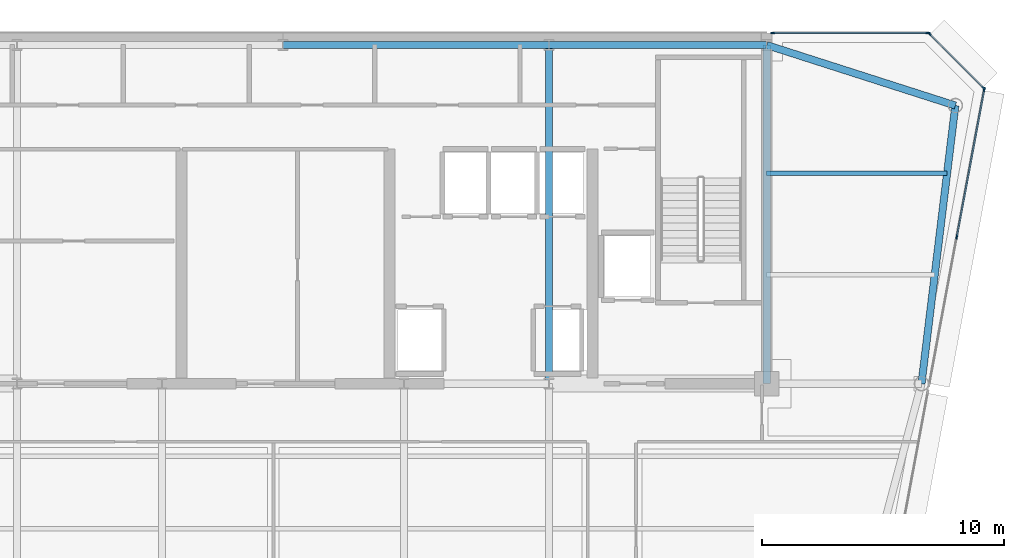
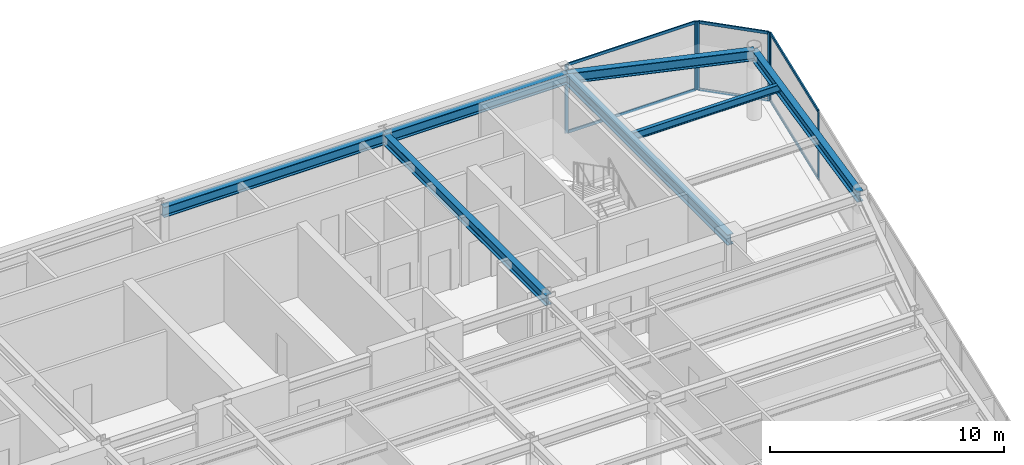
# One storey, part 8 of 19: 12 members, 7 beams, 3 elements without a shape of their own.
"""IFC4 building model written with IfcOpenShell, lengths in metres."""

from ifc_helpers import new_model, si_unit, direction, frame, origin, origin_2d, place, context, subcontext, project, spatial, rectangle, i_section, extrude, source, transform, mapped, material, layer, layer_set, material_profile, profile_set, type_object, element, aggregate, save


model = new_model("IFC4")

# Units and contexts
model_context = context("Model", 3, precision=1e-05, world=origin(), true_north=direction((0.0, 1.0)))
body_context = subcontext(model_context, "Body", "Model", "MODEL_VIEW")
ifc_project = project(units=[si_unit("LENGTHUNIT", "METRE"), si_unit("AREAUNIT", "SQUARE_METRE"), si_unit("VOLUMEUNIT", "CUBIC_METRE"), si_unit("PLANEANGLEUNIT", "RADIAN"), si_unit("MASSUNIT", "GRAM", prefix="KILO")], contexts=[model_context])

# Site, building, storey
site_placement = place(None, origin())
site = spatial("IfcSite", under=ifc_project, at=site_placement, CompositionType="ELEMENT")
building_placement = place(site_placement, origin())
building = spatial("IfcBuilding", under=site, at=building_placement, Name="Vaeldorn Concourse Tower", CompositionType="ELEMENT")
storey_placement = place(building_placement, frame((0.0, 0.0, 249.800048828125)))
storey = spatial("IfcBuildingStorey", under=building, at=storey_placement, Name="L64", CompositionType="ELEMENT", Elevation=249.800048828125)

# Beams
ifc_material_1 = material(Name="Steel S355", Category="steel")
ifc_material_profile_1 = material_profile(ifc_material_1, i_section(OverallWidth=0.179931640625, OverallDepth=0.39990234375, WebThickness=0.008544921875, FlangeThickness=0.013427734375, FilletRadius=0.02099609375, at=origin_2d()), Name="IPE 400")
ifc_profile_set_1 = profile_set([ifc_material_profile_1], Name="Steel S355")
beam_type_1 = type_object("IfcBeamType", Name="BM-JS-IPE400", PredefinedType="JOIST", material=ifc_profile_set_1)
shared_shape_1 = source(origin(), body_context, "Body", "SweptSolid", [
    extrude(i_section(OverallWidth=0.179931640625, OverallDepth=0.39990234375, WebThickness=0.008544921875, FlangeThickness=0.013427734375, FilletRadius=0.02099609375, at=origin_2d()), origin(), (0.0, 0.0, 1.0), 7.458984375),
])
beam_1_placement = place(storey_placement, frame((54.0, 45.199951171875, 3.3798828125), z_axis=(1.0, 0.0, 0.0), x_axis=(0.0, 1.0, 0.0)))
element("IfcBeam", 1, at=beam_1_placement, inside=storey, type_object=beam_type_1, Name="Beam JS-L64-NE-452", PredefinedType="JOIST", context=body_context, shape_type="MappedRepresentation", body=[
    mapped(shared_shape_1, transform((0.0, 0.0, 0.0), scale=1.0)),
])
ifc_material_profile_2 = material_profile(ifc_material_1, i_section(OverallWidth=0.300048828125, OverallDepth=0.550048828125, WebThickness=0.014892578125, FlangeThickness=0.029052734375, FilletRadius=0.027099609375, at=origin_2d()), Name="HEB 550")
ifc_profile_set_2 = profile_set([ifc_material_profile_2], Name="Steel S355")
beam_type_2 = type_object("IfcBeamType", Name="BM-PG-HEB550", PredefinedType="BEAM", material=ifc_profile_set_2)
shared_shape_2 = source(origin(), body_context, "Body", "SweptSolid", [
    extrude(i_section(OverallWidth=0.300048828125, OverallDepth=0.550048828125, WebThickness=0.014892578125, FlangeThickness=0.029052734375, FilletRadius=0.027099609375, at=origin_2d()), origin(), (0.0, 0.0, 1.0), 9.0),
])
beam_2_placement = place(storey_placement, frame((45.0, 50.5, 3.304931640625), z_axis=(1.0, 0.0, 0.0), x_axis=(0.0, 1.0, 0.0)))
element("IfcBeam", 2, at=beam_2_placement, inside=storey, type_object=beam_type_2, Name="Beam BM-L64-C-HC4-C-HC5", PredefinedType="BEAM", context=body_context, shape_type="MappedRepresentation", body=[
    mapped(shared_shape_2, transform((0.0, 0.0, 0.0), scale=1.0)),
])
shared_shape_3 = source(origin(), body_context, "Body", "SweptSolid", [
    extrude(i_section(OverallWidth=0.300048828125, OverallDepth=0.550048828125, WebThickness=0.014892578125, FlangeThickness=0.029052734375, FilletRadius=0.027099609375, at=origin_2d()), origin(), (0.0, 0.0, 1.0), 11.0),
])
beam_3_placement = place(storey_placement, frame((34.0, 50.5, 3.304931640625), z_axis=(1.0, 0.0, 0.0), x_axis=(0.0, 1.0, 0.0)))
element("IfcBeam", 3, at=beam_3_placement, inside=storey, type_object=beam_type_2, Name="Beam BM-L64-C-HC3-C-HC4", PredefinedType="BEAM", context=body_context, shape_type="MappedRepresentation", body=[
    mapped(shared_shape_3, transform((0.0, 0.0, 0.0), scale=1.0)),
])
shared_shape_4 = source(origin(), body_context, "Body", "SweptSolid", [
    extrude(i_section(OverallWidth=0.300048828125, OverallDepth=0.550048828125, WebThickness=0.014892578125, FlangeThickness=0.029052734375, FilletRadius=0.027099609375, at=origin_2d()), origin(), (0.0, 0.0, 1.0), 14.0),
])
for number, where, z_axis, x_axis, name in (
    (4, (45.0, 36.5, 3.304931640625), (0.0, 1.0, 0.0), (-1.0, 0.0, 0.0), "Beam BM-L64-C-FC5-C-HC4"),
    (5, (54.0, 36.5, 3.304931640625), (0.0, 1.0, 0.0), (-1.0, 0.0, 0.0), "Beam BM-L64-C-FC6-C-HC5"),
):
    element("IfcBeam", number, at=place(storey_placement, frame(where, z_axis=z_axis, x_axis=x_axis)), inside=storey, type_object=beam_type_2, Name=name, PredefinedType="BEAM", context=body_context, shape_type="MappedRepresentation", body=[
        mapped(shared_shape_4, transform((0.0, 0.0, 0.0), scale=1.0)),
    ])
shared_shape_5 = source(origin(), body_context, "Body", "SweptSolid", [
    extrude(i_section(OverallWidth=0.300048828125, OverallDepth=0.550048828125, WebThickness=0.014892578125, FlangeThickness=0.029052734375, FilletRadius=0.027099609375, at=origin_2d()), origin(), (0.0, 0.0, 1.0), 8.19091796875),
])
beam_4_placement = place(storey_placement, frame((54.0, 50.5, 3.304931640625), z_axis=(0.952282843383, -0.305216949396, 0.0), x_axis=(0.305216949396, 0.952282843383, 0.0)))
element("IfcBeam", 6, at=beam_4_placement, inside=storey, type_object=beam_type_2, Name="Beam BM-L64-C-HC5-C-NE1", PredefinedType="BEAM", context=body_context, shape_type="MappedRepresentation", body=[
    mapped(shared_shape_5, transform((0.0, 0.0, 0.0), scale=1.0)),
])
shared_shape_6 = source(origin(), body_context, "Body", "SweptSolid", [
    extrude(i_section(OverallWidth=0.300048828125, OverallDepth=0.550048828125, WebThickness=0.014892578125, FlangeThickness=0.029052734375, FilletRadius=0.027099609375, at=origin_2d()), origin(), (0.0, 0.0, 1.0), 11.5849609375),
])
beam_5_placement = place(storey_placement, frame((61.800048828125, 48.0, 3.304931640625), z_axis=(-0.120859382899, -0.992669637677, 0.0), x_axis=(0.992669637677, -0.120859382899, 0.0)))
element("IfcBeam", 7, at=beam_5_placement, inside=storey, type_object=beam_type_2, Name="Beam BM-L64-C-NE1-C-NE2", PredefinedType="BEAM", context=body_context, shape_type="MappedRepresentation", body=[
    mapped(shared_shape_6, transform((0.0, 0.0, 0.0), scale=1.0)),
])

# Curtain wall, members
ifc_material_2 = material(Name="Anodised Bronze Aluminium", Category="aluminium")
ifc_layer = layer(ifc_material_2, 0.179931640625)
ifc_layer_set = layer_set([ifc_layer], Name="Anodised Bronze Aluminium")
curtain_wall_type = type_object("IfcCurtainWallType", Name="CW-SYS-05", PredefinedType="NOTDEFINED", material=ifc_layer_set)
curtain_wall_1_placement = place(storey_placement, origin())
curtain_wall_1 = element("IfcCurtainWall", 8, at=curtain_wall_1_placement, inside=storey, type_object=curtain_wall_type, Name="Unitised Curtain Wall CW-L64-E07-2", PredefinedType="NOTDEFINED")
ifc_material_profile_3 = material_profile(ifc_material_2, rectangle(XDim=0.06494140625, YDim=0.169921875, at=origin_2d()), Name="CWM 65x170")
ifc_profile_set_3 = profile_set([ifc_material_profile_3], Name="Anodised Bronze Aluminium")
member_type_1 = type_object("IfcMemberType", Name="CWM-BRONZE-170", PredefinedType="MULLION", material=ifc_profile_set_3)
shared_shape_7 = source(origin(), body_context, "Body", "SweptSolid", [
    extrude(rectangle(XDim=0.06494140625, YDim=0.169921875, at=origin_2d()), origin(), (0.0, 0.0, 1.0), 3.579833984375),
])
member_1_placement = place(storey_placement, frame((61.857421875, 42.564208984375, 0.0), z_axis=(0.0, 0.0, 1.0), x_axis=(-0.983102768025, 0.183054493257, 0.0)))
member_1 = element("IfcMember", 9, at=member_1_placement, type_object=member_type_1, Name="CW-05 mullion 2", PredefinedType="MULLION", context=body_context, shape_type="MappedRepresentation", body=[
    mapped(shared_shape_7, transform((0.0, 0.0, 0.0), scale=1.0)),
])
member_2_placement = place(storey_placement, frame((62.994140625, 48.66796875, 0.0), z_axis=(0.0, 0.0, 1.0), x_axis=(-0.983102768025, 0.183054493257, 0.0)))
member_2 = element("IfcMember", 10, at=member_2_placement, type_object=member_type_1, Name="CW-05 mullion 3", PredefinedType="MULLION", context=body_context, shape_type="MappedRepresentation", body=[
    mapped(shared_shape_7, transform((0.0, 0.0, 0.0), scale=1.0)),
])

curtain_wall_2_placement = place(storey_placement, origin())
curtain_wall_2 = element("IfcCurtainWall", 11, at=curtain_wall_2_placement, inside=storey, type_object=curtain_wall_type, Name="Unitised Curtain Wall CW-L64-E08-1", PredefinedType="NOTDEFINED")
member_3_placement = place(storey_placement, frame((62.97705078125, 48.722900390625, 0.0), z_axis=(0.0, 0.0, 1.0), x_axis=(-0.707106781187, -0.707106781187, 0.0)))
member_3 = element("IfcMember", 12, at=member_3_placement, type_object=member_type_1, Name="CW-05 mullion 1", PredefinedType="MULLION", context=body_context, shape_type="MappedRepresentation", body=[
    mapped(shared_shape_7, transform((0.0, 0.0, 0.0), scale=1.0)),
])
member_4_placement = place(storey_placement, frame((60.722900390625, 50.97705078125, 0.0), z_axis=(0.0, 0.0, 1.0), x_axis=(-0.707106781187, -0.707106781187, 0.0)))
member_4 = element("IfcMember", 13, at=member_4_placement, type_object=member_type_1, Name="CW-05 mullion 2", PredefinedType="MULLION", context=body_context, shape_type="MappedRepresentation", body=[
    mapped(shared_shape_7, transform((0.0, 0.0, 0.0), scale=1.0)),
])

curtain_wall_3_placement = place(storey_placement, origin())
curtain_wall_3 = element("IfcCurtainWall", 14, at=curtain_wall_3_placement, inside=storey, type_object=curtain_wall_type, Name="Unitised Curtain Wall CW-L64-E09-1", PredefinedType="NOTDEFINED")
member_5_placement = place(storey_placement, frame((60.66748046875, 51.0, 0.0), z_axis=(0.0, 0.0, 1.0), x_axis=(0.0, -1.0, 0.0)))
member_5 = element("IfcMember", 15, at=member_5_placement, type_object=member_type_1, Name="CW-05 mullion 1", PredefinedType="MULLION", context=body_context, shape_type="MappedRepresentation", body=[
    mapped(shared_shape_7, transform((0.0, 0.0, 0.0), scale=1.0)),
])
member_6_placement = place(storey_placement, frame((54.25244140625, 51.0, 0.0), z_axis=(0.0, 0.0, 1.0), x_axis=(0.0, -1.0, 0.0)))
member_6 = element("IfcMember", 16, at=member_6_placement, type_object=member_type_1, Name="CW-05 mullion 2", PredefinedType="MULLION", context=body_context, shape_type="MappedRepresentation", body=[
    mapped(shared_shape_7, transform((0.0, 0.0, 0.0), scale=1.0)),
])

# Member
ifc_material_profile_4 = material_profile(ifc_material_2, rectangle(XDim=0.06494140625, YDim=0.14990234375, at=origin_2d()), Name="CWT 65x150")
ifc_profile_set_4 = profile_set([ifc_material_profile_4], Name="Anodised Bronze Aluminium")
member_type_2 = type_object("IfcMemberType", Name="CWT-BRONZE-150", PredefinedType="USERDEFINED", material=ifc_profile_set_4)
shared_shape_8 = source(origin(), body_context, "Body", "SweptSolid", [
    extrude(rectangle(XDim=0.06494140625, YDim=0.14990234375, at=origin_2d()), origin(), (0.0, 0.0, 1.0), 3.123046875),
])
member_7_placement = place(storey_placement, frame((62.9541015625, 48.745849609375, 0.032470703125), z_axis=(-0.707106781187, 0.707106781187, 0.0), x_axis=(-0.707106781187, -0.707106781187, 0.0)))
member_7 = element("IfcMember", 17, at=member_7_placement, type_object=member_type_2, Name="CW-05 transom 1.1", ObjectType="TRANSOM", PredefinedType="USERDEFINED", context=body_context, shape_type="MappedRepresentation", body=[
    mapped(shared_shape_8, transform((0.0, 0.0, 0.0), scale=1.0)),
])

member_8_placement = place(storey_placement, frame((62.9541015625, 48.745849609375, 3.54736328125), z_axis=(-0.707106781187, 0.707106781187, 0.0), x_axis=(-0.707106781187, -0.707106781187, 0.0)))
member_8 = element("IfcMember", 18, at=member_8_placement, type_object=member_type_2, Name="CW-05 transom 1.2", ObjectType="TRANSOM", PredefinedType="USERDEFINED", context=body_context, shape_type="MappedRepresentation", body=[
    mapped(shared_shape_8, transform((0.0, 0.0, 0.0), scale=1.0)),
])

aggregate(curtain_wall_2, [member_3, member_4, member_7, member_8])

shared_shape_9 = source(origin(), body_context, "Body", "SweptSolid", [
    extrude(rectangle(XDim=0.06494140625, YDim=0.14990234375, at=origin_2d()), origin(), (0.0, 0.0, 1.0), 6.1435546875),
])
member_9_placement = place(storey_placement, frame((61.863525390625, 42.59619140625, 0.032470703125), z_axis=(0.183038328644, 0.983105777751, 0.0), x_axis=(-0.983105777751, 0.183038328644, 0.0)))
member_9 = element("IfcMember", 19, at=member_9_placement, type_object=member_type_2, Name="CW-05 transom 2.1", ObjectType="TRANSOM", PredefinedType="USERDEFINED", context=body_context, shape_type="MappedRepresentation", body=[
    mapped(shared_shape_9, transform((0.0, 0.0, 0.0), scale=1.0)),
])

member_10_placement = place(storey_placement, frame((61.863525390625, 42.59619140625, 3.54736328125), z_axis=(0.183038328644, 0.983105777751, 0.0), x_axis=(-0.983105777751, 0.183038328644, 0.0)))
member_10 = element("IfcMember", 20, at=member_10_placement, type_object=member_type_2, Name="CW-05 transom 2.2", ObjectType="TRANSOM", PredefinedType="USERDEFINED", context=body_context, shape_type="MappedRepresentation", body=[
    mapped(shared_shape_9, transform((0.0, 0.0, 0.0), scale=1.0)),
])

aggregate(curtain_wall_1, [member_1, member_2, member_9, member_10])

shared_shape_10 = source(origin(), body_context, "Body", "SweptSolid", [
    extrude(rectangle(XDim=0.06494140625, YDim=0.14990234375, at=origin_2d()), origin(), (0.0, 0.0, 1.0), 6.35009765625),
])
member_11_placement = place(storey_placement, frame((60.635009765625, 51.0, 0.032470703125), z_axis=(-1.0, 0.0, 0.0), x_axis=(0.0, -1.0, 0.0)))
member_11 = element("IfcMember", 21, at=member_11_placement, type_object=member_type_2, Name="CW-05 transom 1.1", ObjectType="TRANSOM", PredefinedType="USERDEFINED", context=body_context, shape_type="MappedRepresentation", body=[
    mapped(shared_shape_10, transform((0.0, 0.0, 0.0), scale=1.0)),
])

member_12_placement = place(storey_placement, frame((60.635009765625, 51.0, 3.54736328125), z_axis=(-1.0, 0.0, 0.0), x_axis=(0.0, -1.0, 0.0)))
member_12 = element("IfcMember", 22, at=member_12_placement, type_object=member_type_2, Name="CW-05 transom 1.2", ObjectType="TRANSOM", PredefinedType="USERDEFINED", context=body_context, shape_type="MappedRepresentation", body=[
    mapped(shared_shape_10, transform((0.0, 0.0, 0.0), scale=1.0)),
])

aggregate(curtain_wall_3, [member_5, member_6, member_11, member_12])

save(model, "model.ifc")
